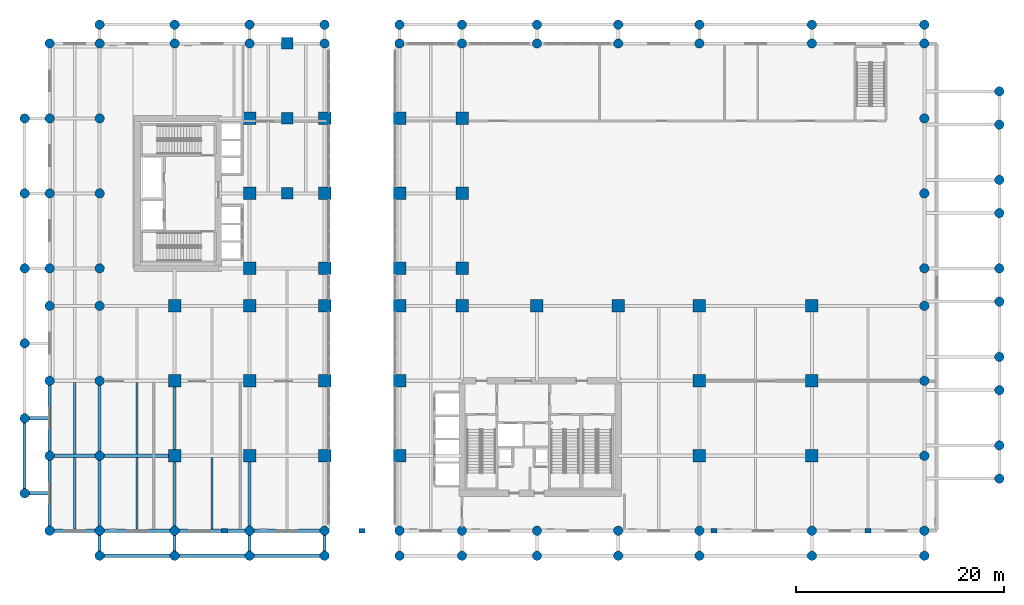
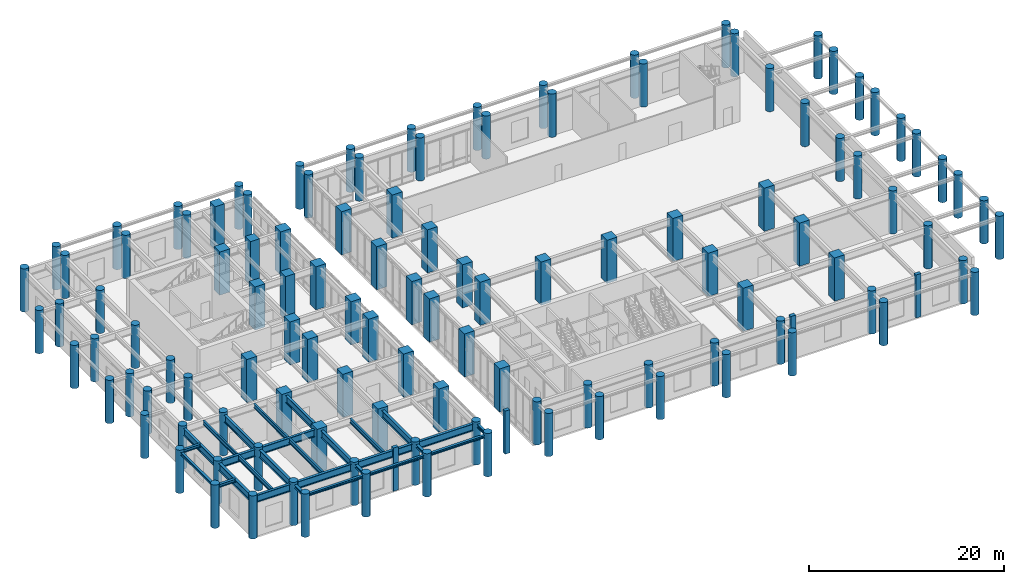
# One storey, part 1 of 23: 120 columns, 28 beams.
"""IFC4 building model written with IfcOpenShell, lengths in metres."""

from ifc_helpers import new_model, si_unit, derived_unit, direction, frame, origin, origin_2d, place, context, subcontext, project, spatial, rectangle, circle, i_section, extrude, source, transform, mapped, material, material_profile, profile_set, type_object, type_shapes, element, save


model = new_model("IFC4")

# Units and contexts
model_context = context("Model", 3, precision=1e-05, world=origin(), true_north=direction((0.0, 1.0)))
body_context = subcontext(model_context, "Body", "Model", "MODEL_VIEW")
ifc_project = project(units=[si_unit("LENGTHUNIT", "METRE"), si_unit("AREAUNIT", "SQUARE_METRE"), si_unit("VOLUMEUNIT", "CUBIC_METRE"), si_unit("PLANEANGLEUNIT", "RADIAN"), si_unit("MASSUNIT", "GRAM", prefix="KILO"), si_unit("THERMODYNAMICTEMPERATUREUNIT", "KELVIN"), si_unit("POWERUNIT", "WATT"), derived_unit("THERMALTRANSMITTANCEUNIT", [(si_unit("POWERUNIT", "WATT"), 1), (si_unit("AREAUNIT", "SQUARE_METRE"), -1), (si_unit("THERMODYNAMICTEMPERATUREUNIT", "KELVIN"), -1)])], contexts=[model_context])

# Site, building, storey
site_placement = place(None, origin())
site = spatial("IfcSite", under=ifc_project, at=site_placement, CompositionType="ELEMENT")
building_placement = place(site_placement, origin())
building = spatial("IfcBuilding", under=site, at=building_placement, Name="Zahravan Archway Hotel and Residences", CompositionType="ELEMENT")
storey_placement = place(building_placement, frame((0.0, 0.0, 5.39990234375)))
storey = spatial("IfcBuildingStorey", under=building, at=storey_placement, Name="L01", CompositionType="ELEMENT", Elevation=5.39990234375)

# Columns
ifc_material_1 = material(Name="Concrete C60/75", Category="concrete")
ifc_material_profile_1 = material_profile(ifc_material_1, circle(Radius=0.449951171875, at=origin_2d()), Name="RC-CIRC-900", Category="concrete")
ifc_profile_set_1 = profile_set([ifc_material_profile_1], Name="Concrete C60/75")
column_type_1 = type_object("IfcColumnType", Name="COL-RND-900", PredefinedType="COLUMN", material=ifc_profile_set_1)
shared_shape_1 = source(origin(), body_context, "Body", "SweptSolid", [
    extrude(circle(Radius=0.449951171875, at=origin_2d()), origin(), (0.0, 0.0, 1.0), 5.400146484375),
])
for number, where, z_axis, x_axis, name in (
    (1, (-4.800048828125, 0.0, 0.0), (0.0, 0.0, 1.0), (1.0, 0.0, 0.0), "L01 Column 0-A"),
    (2, (-4.800048828125, 7.199951171875, 0.0), (0.0, 0.0, 1.0), (1.0, 0.0, 0.0), "L01 Column 0-B"),
    (3, (-4.800048828125, 14.39990234375, 0.0), (0.0, 0.0, 1.0), (1.0, 0.0, 0.0), "L01 Column 0-C"),
    (4, (-4.800048828125, 21.60009765625, 0.0), (0.0, 0.0, 1.0), (1.0, 0.0, 0.0), "L01 Column 0-D"),
    (5, (-4.800048828125, 25.199951171875, 0.0), (0.0, 0.0, 1.0), (1.0, 0.0, 0.0), "L01 Column 0-E"),
    (6, (-4.800048828125, 32.39990234375, 0.0), (0.0, 0.0, 1.0), (1.0, 0.0, 0.0), "L01 Column 0-F"),
    (7, (-4.800048828125, 39.60009765625, 0.0), (0.0, 0.0, 1.0), (1.0, 0.0, 0.0), "L01 Column 0-G"),
    (8, (-4.800048828125, 46.800048828125, 0.0), (0.0, 0.0, 1.0), (1.0, 0.0, 0.0), "L01 Column 0-H"),
    (9, (0.0, 0.0, 0.0), (0.0, 0.0, 1.0), (1.0, 0.0, 0.0), "L01 Column 1-A"),
    (10, (0.0, 7.199951171875, 0.0), (0.0, 0.0, 1.0), (1.0, 0.0, 0.0), "L01 Column 1-B"),
    (11, (0.0, 14.39990234375, 0.0), (0.0, 0.0, 1.0), (1.0, 0.0, 0.0), "L01 Column 1-C"),
    (12, (0.0, 21.60009765625, 0.0), (0.0, 0.0, 1.0), (1.0, 0.0, 0.0), "L01 Column 1-D"),
    (13, (0.0, 25.199951171875, 0.0), (0.0, 0.0, 1.0), (1.0, 0.0, 0.0), "L01 Column 1-E"),
    (14, (0.0, 32.39990234375, 0.0), (0.0, 0.0, 1.0), (1.0, 0.0, 0.0), "L01 Column 1-F"),
    (15, (0.0, 39.60009765625, 0.0), (0.0, 0.0, 1.0), (1.0, 0.0, 0.0), "L01 Column 1-G"),
    (16, (0.0, 46.800048828125, 0.0), (0.0, 0.0, 1.0), (1.0, 0.0, 0.0), "L01 Column 1-H"),
    (17, (7.199951171875, 0.0, 0.0), (0.0, 0.0, 1.0), (1.0, 0.0, 0.0), "L01 Column 2-A"),
    (18, (7.199951171875, 46.800048828125, 0.0), (0.0, 0.0, 1.0), (1.0, 0.0, 0.0), "L01 Column 2-H"),
    (19, (14.39990234375, 0.0, 0.0), (0.0, 0.0, 1.0), (1.0, 0.0, 0.0), "L01 Column 3-A"),
    (20, (14.39990234375, 46.800048828125, 0.0), (0.0, 0.0, 1.0), (1.0, 0.0, 0.0), "L01 Column 3-H"),
    (21, (21.60009765625, 0.0, 0.0), (0.0, 0.0, 1.0), (1.0, 0.0, 0.0), "L01 Column 4-A"),
    (22, (21.60009765625, 46.800048828125, 0.0), (0.0, 0.0, 1.0), (1.0, 0.0, 0.0), "L01 Column 4-H"),
    (23, (28.800048828125, 0.0, 0.0), (0.0, 0.0, 1.0), (1.0, 0.0, 0.0), "L01 Column 5-A"),
    (24, (28.800048828125, 46.800048828125, 0.0), (0.0, 0.0, 1.0), (1.0, 0.0, 0.0), "L01 Column 5-H"),
    (25, (34.800048828125, 0.0, 0.0), (0.0, 0.0, 1.0), (1.0, 0.0, 0.0), "L01 Column 6-A"),
    (26, (34.800048828125, 46.800048828125, 0.0), (0.0, 0.0, 1.0), (1.0, 0.0, 0.0), "L01 Column 6-H"),
    (27, (42.0, 0.0, 0.0), (0.0, 0.0, 1.0), (1.0, 0.0, 0.0), "L01 Column 7-A"),
    (28, (42.0, 46.800048828125, 0.0), (0.0, 0.0, 1.0), (1.0, 0.0, 0.0), "L01 Column 7-H"),
    (29, (49.800048828125, 0.0, 0.0), (0.0, 0.0, 1.0), (1.0, 0.0, 0.0), "L01 Column 8-A"),
    (30, (49.800048828125, 46.800048828125, 0.0), (0.0, 0.0, 1.0), (1.0, 0.0, 0.0), "L01 Column 8-H"),
    (31, (57.60009765625, 0.0, 0.0), (0.0, 0.0, 1.0), (1.0, 0.0, 0.0), "L01 Column 9-A"),
    (32, (57.60009765625, 46.800048828125, 0.0), (0.0, 0.0, 1.0), (1.0, 0.0, 0.0), "L01 Column 9-H"),
    (33, (68.39990234375, 0.0, 0.0), (0.0, 0.0, 1.0), (1.0, 0.0, 0.0), "L01 Column 10-A"),
    (34, (68.39990234375, 46.800048828125, 0.0), (0.0, 0.0, 1.0), (1.0, 0.0, 0.0), "L01 Column 10-H"),
    (35, (79.199951171875, 0.0, 0.0), (0.0, 0.0, 1.0), (1.0, 0.0, 0.0), "L01 Column 11-A"),
    (36, (79.199951171875, 7.199951171875, 0.0), (0.0, 0.0, 1.0), (1.0, 0.0, 0.0), "L01 Column 11-B"),
    (37, (79.199951171875, 14.39990234375, 0.0), (0.0, 0.0, 1.0), (1.0, 0.0, 0.0), "L01 Column 11-C"),
    (38, (79.199951171875, 21.60009765625, 0.0), (0.0, 0.0, 1.0), (1.0, 0.0, 0.0), "L01 Column 11-D"),
    (39, (79.199951171875, 25.199951171875, 0.0), (0.0, 0.0, 1.0), (1.0, 0.0, 0.0), "L01 Column 11-E"),
    (40, (79.199951171875, 32.39990234375, 0.0), (0.0, 0.0, 1.0), (1.0, 0.0, 0.0), "L01 Column 11-F"),
    (41, (79.199951171875, 39.60009765625, 0.0), (0.0, 0.0, 1.0), (1.0, 0.0, 0.0), "L01 Column 11-G"),
    (42, (79.199951171875, 46.800048828125, 0.0), (0.0, 0.0, 1.0), (1.0, 0.0, 0.0), "L01 Column 11-H"),
    (43, (-7.199951171875, 3.60009765625, 0.0), (0.0, 0.0, 1.0), (1.0, 0.0, 0.0), "L01 Column WCOL-1"),
    (44, (-7.199951171875, 10.800048828125, 0.0), (0.0, 0.0, 1.0), (1.0, 0.0, 0.0), "L01 Column WCOL-2"),
    (45, (-7.199951171875, 18.0, 0.0), (0.0, 0.0, 1.0), (1.0, 0.0, 0.0), "L01 Column WCOL-3"),
    (46, (-7.199951171875, 25.199951171875, 0.0), (0.0, 0.0, 1.0), (1.0, 0.0, 0.0), "L01 Column WCOL-4"),
    (47, (-7.199951171875, 32.39990234375, 0.0), (0.0, 0.0, 1.0), (1.0, 0.0, 0.0), "L01 Column WCOL-5"),
    (48, (-7.199951171875, 39.60009765625, 0.0), (0.0, 0.0, 1.0), (1.0, 0.0, 0.0), "L01 Column WCOL-6"),
    (49, (0.0, -2.39990234375, 0.0), (0.0, 0.0, 1.0), (1.0, 0.0, 0.0), "L01 Column SCOL-1"),
    (50, (0.0, 48.60009765625, 0.0), (0.0, 0.0, 1.0), (1.0, 0.0, 0.0), "L01 Column NCOL-1"),
    (51, (7.199951171875, -2.39990234375, 0.0), (0.0, 0.0, 1.0), (1.0, 0.0, 0.0), "L01 Column SCOL-2"),
    (52, (7.199951171875, 48.60009765625, 0.0), (0.0, 0.0, 1.0), (1.0, 0.0, 0.0), "L01 Column NCOL-2"),
    (53, (14.39990234375, -2.39990234375, 0.0), (0.0, 0.0, 1.0), (1.0, 0.0, 0.0), "L01 Column SCOL-3"),
    (54, (14.39990234375, 48.60009765625, 0.0), (0.0, 0.0, 1.0), (1.0, 0.0, 0.0), "L01 Column NCOL-3"),
    (55, (21.60009765625, -2.39990234375, 0.0), (0.0, 0.0, 1.0), (1.0, 0.0, 0.0), "L01 Column SCOL-4"),
    (56, (21.60009765625, 48.60009765625, 0.0), (0.0, 0.0, 1.0), (1.0, 0.0, 0.0), "L01 Column NCOL-4"),
    (57, (28.800048828125, -2.39990234375, 0.0), (0.0, 0.0, 1.0), (1.0, 0.0, 0.0), "L01 Column SCOL-5"),
    (58, (28.800048828125, 48.60009765625, 0.0), (0.0, 0.0, 1.0), (1.0, 0.0, 0.0), "L01 Column NCOL-5"),
    (59, (34.800048828125, -2.39990234375, 0.0), (0.0, 0.0, 1.0), (1.0, 0.0, 0.0), "L01 Column SCOL-6"),
    (60, (34.800048828125, 48.60009765625, 0.0), (0.0, 0.0, 1.0), (1.0, 0.0, 0.0), "L01 Column NCOL-6"),
    (61, (42.0, -2.39990234375, 0.0), (0.0, 0.0, 1.0), (1.0, 0.0, 0.0), "L01 Column SCOL-7"),
    (62, (42.0, 48.60009765625, 0.0), (0.0, 0.0, 1.0), (1.0, 0.0, 0.0), "L01 Column NCOL-7"),
    (63, (49.800048828125, -2.39990234375, 0.0), (0.0, 0.0, 1.0), (1.0, 0.0, 0.0), "L01 Column SCOL-8"),
    (64, (49.800048828125, 48.60009765625, 0.0), (0.0, 0.0, 1.0), (1.0, 0.0, 0.0), "L01 Column NCOL-8"),
    (65, (57.60009765625, -2.39990234375, 0.0), (0.0, 0.0, 1.0), (1.0, 0.0, 0.0), "L01 Column SCOL-9"),
    (66, (57.60009765625, 48.60009765625, 0.0), (0.0, 0.0, 1.0), (1.0, 0.0, 0.0), "L01 Column NCOL-9"),
    (67, (68.39990234375, -2.39990234375, 0.0), (0.0, 0.0, 1.0), (1.0, 0.0, 0.0), "L01 Column SCOL-10"),
    (68, (68.39990234375, 48.60009765625, 0.0), (0.0, 0.0, 1.0), (1.0, 0.0, 0.0), "L01 Column NCOL-10"),
    (69, (79.199951171875, -2.39990234375, 0.0), (0.0, 0.0, 1.0), (1.0, 0.0, 0.0), "L01 Column SCOL-11"),
    (70, (79.199951171875, 48.60009765625, 0.0), (0.0, 0.0, 1.0), (1.0, 0.0, 0.0), "L01 Column NCOL-11"),
    (71, (86.39990234375, 5.0, 0.0), (0.0, 0.0, 1.0), (1.0, 0.0, 0.0), "L01 Column ECOL-1"),
    (72, (86.39990234375, 8.199951171875, 0.0), (0.0, 0.0, 1.0), (1.0, 0.0, 0.0), "L01 Column ECOL-2"),
    (73, (86.39990234375, 13.5, 0.0), (0.0, 0.0, 1.0), (1.0, 0.0, 0.0), "L01 Column ECOL-3"),
    (74, (86.39990234375, 16.699951171875, 0.0), (0.0, 0.0, 1.0), (1.0, 0.0, 0.0), "L01 Column ECOL-4"),
    (75, (86.39990234375, 22.0, 0.0), (0.0, 0.0, 1.0), (1.0, 0.0, 0.0), "L01 Column ECOL-5"),
    (76, (86.39990234375, 25.199951171875, 0.0), (0.0, 0.0, 1.0), (1.0, 0.0, 0.0), "L01 Column ECOL-6"),
    (77, (86.39990234375, 30.5, 0.0), (0.0, 0.0, 1.0), (1.0, 0.0, 0.0), "L01 Column ECOL-7"),
    (78, (86.39990234375, 33.699951171875, 0.0), (0.0, 0.0, 1.0), (1.0, 0.0, 0.0), "L01 Column ECOL-8"),
    (79, (86.39990234375, 39.0, 0.0), (0.0, 0.0, 1.0), (1.0, 0.0, 0.0), "L01 Column ECOL-9"),
    (80, (86.39990234375, 42.199951171875, 0.0), (0.0, 0.0, 1.0), (1.0, 0.0, 0.0), "L01 Column ECOL-10"),
):
    element("IfcColumn", number, at=place(storey_placement, frame(where, z_axis=z_axis, x_axis=x_axis)), inside=storey, type_object=column_type_1, Name=name, PredefinedType="COLUMN", context=body_context, shape_type="MappedRepresentation", body=[
        mapped(shared_shape_1, transform((0.0, 0.0, 0.0), scale=1.0)),
    ])
ifc_material_2 = material(Name="Concrete C70/85", Category="concrete")
ifc_material_profile_2 = material_profile(ifc_material_2, rectangle(XDim=1.199951171875, YDim=1.199951171875, at=origin_2d()), Name="RC-COL-1200x1200", Category="concrete")
ifc_profile_set_2 = profile_set([ifc_material_profile_2], Name="Concrete C70/85")
column_type_2 = type_object("IfcColumnType", Name="COL-RC-1200", PredefinedType="COLUMN", material=ifc_profile_set_2)
shared_shape_2 = source(origin(), body_context, "Body", "SweptSolid", [
    extrude(rectangle(XDim=1.199951171875, YDim=1.199951171875, at=origin_2d()), origin(), (0.0, 0.0, 1.0), 5.400146484375),
])
for number, where, z_axis, x_axis, name in (
    (81, (7.199951171875, 7.199951171875, 0.0), (0.0, 0.0, 1.0), (1.0, 0.0, 0.0), "L01 Column 2-B"),
    (82, (7.199951171875, 14.39990234375, 0.0), (0.0, 0.0, 1.0), (1.0, 0.0, 0.0), "L01 Column 2-C"),
    (83, (7.199951171875, 21.60009765625, 0.0), (0.0, 0.0, 1.0), (1.0, 0.0, 0.0), "L01 Column 2-D"),
    (84, (14.39990234375, 7.199951171875, 0.0), (0.0, 0.0, 1.0), (1.0, 0.0, 0.0), "L01 Column 3-B"),
    (85, (14.39990234375, 14.39990234375, 0.0), (0.0, 0.0, 1.0), (1.0, 0.0, 0.0), "L01 Column 3-C"),
    (86, (14.39990234375, 21.60009765625, 0.0), (0.0, 0.0, 1.0), (1.0, 0.0, 0.0), "L01 Column 3-D"),
    (87, (14.39990234375, 25.199951171875, 0.0), (0.0, 0.0, 1.0), (1.0, 0.0, 0.0), "L01 Column 3-E"),
    (88, (14.39990234375, 32.39990234375, 0.0), (0.0, 0.0, 1.0), (1.0, 0.0, 0.0), "L01 Column 3-F"),
    (89, (14.39990234375, 39.60009765625, 0.0), (0.0, 0.0, 1.0), (1.0, 0.0, 0.0), "L01 Column 3-G"),
    (90, (21.60009765625, 7.199951171875, 0.0), (0.0, 0.0, 1.0), (1.0, 0.0, 0.0), "L01 Column 4-B"),
    (91, (21.60009765625, 14.39990234375, 0.0), (0.0, 0.0, 1.0), (1.0, 0.0, 0.0), "L01 Column 4-C"),
    (92, (21.60009765625, 21.60009765625, 0.0), (0.0, 0.0, 1.0), (1.0, 0.0, 0.0), "L01 Column 4-D"),
    (93, (21.60009765625, 25.199951171875, 0.0), (0.0, 0.0, 1.0), (1.0, 0.0, 0.0), "L01 Column 4-E"),
    (94, (21.60009765625, 32.39990234375, 0.0), (0.0, 0.0, 1.0), (1.0, 0.0, 0.0), "L01 Column 4-F"),
    (95, (21.60009765625, 39.60009765625, 0.0), (0.0, 0.0, 1.0), (1.0, 0.0, 0.0), "L01 Column 4-G"),
    (96, (28.800048828125, 7.199951171875, 0.0), (0.0, 0.0, 1.0), (1.0, 0.0, 0.0), "L01 Column 5-B"),
    (97, (28.800048828125, 14.39990234375, 0.0), (0.0, 0.0, 1.0), (1.0, 0.0, 0.0), "L01 Column 5-C"),
    (98, (28.800048828125, 21.60009765625, 0.0), (0.0, 0.0, 1.0), (1.0, 0.0, 0.0), "L01 Column 5-D"),
    (99, (28.800048828125, 25.199951171875, 0.0), (0.0, 0.0, 1.0), (1.0, 0.0, 0.0), "L01 Column 5-E"),
    (100, (28.800048828125, 32.39990234375, 0.0), (0.0, 0.0, 1.0), (1.0, 0.0, 0.0), "L01 Column 5-F"),
    (101, (28.800048828125, 39.60009765625, 0.0), (0.0, 0.0, 1.0), (1.0, 0.0, 0.0), "L01 Column 5-G"),
    (102, (34.800048828125, 21.60009765625, 0.0), (0.0, 0.0, 1.0), (1.0, 0.0, 0.0), "L01 Column 6-D"),
    (103, (34.800048828125, 25.199951171875, 0.0), (0.0, 0.0, 1.0), (1.0, 0.0, 0.0), "L01 Column 6-E"),
    (104, (34.800048828125, 32.39990234375, 0.0), (0.0, 0.0, 1.0), (1.0, 0.0, 0.0), "L01 Column 6-F"),
    (105, (34.800048828125, 39.60009765625, 0.0), (0.0, 0.0, 1.0), (1.0, 0.0, 0.0), "L01 Column 6-G"),
    (106, (42.0, 21.60009765625, 0.0), (0.0, 0.0, 1.0), (1.0, 0.0, 0.0), "L01 Column 7-D"),
    (107, (49.800048828125, 21.60009765625, 0.0), (0.0, 0.0, 1.0), (1.0, 0.0, 0.0), "L01 Column 8-D"),
    (108, (57.60009765625, 7.199951171875, 0.0), (0.0, 0.0, 1.0), (1.0, 0.0, 0.0), "L01 Column 9-B"),
    (109, (57.60009765625, 14.39990234375, 0.0), (0.0, 0.0, 1.0), (1.0, 0.0, 0.0), "L01 Column 9-C"),
    (110, (57.60009765625, 21.60009765625, 0.0), (0.0, 0.0, 1.0), (1.0, 0.0, 0.0), "L01 Column 9-D"),
    (111, (68.39990234375, 7.199951171875, 0.0), (0.0, 0.0, 1.0), (1.0, 0.0, 0.0), "L01 Column 10-B"),
    (112, (68.39990234375, 14.39990234375, 0.0), (0.0, 0.0, 1.0), (1.0, 0.0, 0.0), "L01 Column 10-C"),
    (113, (68.39990234375, 21.60009765625, 0.0), (0.0, 0.0, 1.0), (1.0, 0.0, 0.0), "L01 Column 10-D"),
):
    element("IfcColumn", number, at=place(storey_placement, frame(where, z_axis=z_axis, x_axis=x_axis)), inside=storey, type_object=column_type_2, Name=name, PredefinedType="COLUMN", context=body_context, shape_type="MappedRepresentation", body=[
        mapped(shared_shape_2, transform((0.0, 0.0, 0.0), scale=1.0)),
    ])
ifc_material_profile_3 = material_profile(ifc_material_2, rectangle(XDim=1.10009765625, YDim=1.10009765625, at=origin_2d()), Name="RC 1100x1100", Category="concrete")
ifc_profile_set_3 = profile_set([ifc_material_profile_3], Name="Concrete C70/85")
column_type_3 = type_object("IfcColumnType", Name="COL-RC-1100", PredefinedType="COLUMN", material=ifc_profile_set_3)
shared_shape_3 = source(origin(), body_context, "Body", "SweptSolid", [
    extrude(rectangle(XDim=1.10009765625, YDim=1.10009765625, at=origin_2d()), origin(), (0.0, 0.0, 1.0), 5.400146484375),
])
for number, where, z_axis, x_axis, name in (
    (114, (18.0, 32.39990234375, 0.0), (0.0, 0.0, 1.0), (1.0, 0.0, 0.0), "L01 Column 3B-F"),
    (115, (18.0, 39.60009765625, 0.0), (0.0, 0.0, 1.0), (1.0, 0.0, 0.0), "L01 Column 3B-G"),
    (116, (18.0, 46.800048828125, 0.0), (0.0, 0.0, 1.0), (1.0, 0.0, 0.0), "L01 Column 3B-H"),
):
    element("IfcColumn", number, at=place(storey_placement, frame(where, z_axis=z_axis, x_axis=x_axis)), inside=storey, type_object=column_type_3, Name=name, PredefinedType="COLUMN", context=body_context, shape_type="MappedRepresentation", body=[
        mapped(shared_shape_3, transform((0.0, 0.0, 0.0), scale=1.0)),
    ])
ifc_material_3 = material(Name="Concrete C45/55", Category="concrete")
ifc_material_profile_4 = material_profile(ifc_material_3, rectangle(XDim=0.60009765625, YDim=0.39990234375, at=origin_2d()), Name="RC-PIL-600x400", Category="concrete")
ifc_profile_set_4 = profile_set([ifc_material_profile_4], Name="Concrete C45/55")
column_type_4 = type_object("IfcColumnType", Name="PIL-STONE-400", PredefinedType="PILASTER", material=ifc_profile_set_4)
shared_shape_4 = source(origin(), body_context, "Body", "SweptSolid", [
    extrude(rectangle(XDim=0.60009765625, YDim=0.39990234375, at=origin_2d()), origin(), (0.0, 0.0, 1.0), 5.400146484375),
])
type_shapes(column_type_4, [shared_shape_4])
for number, where, z_axis, x_axis, name in (
    (117, (12.0, 0.0, 0.0), (0.0, 0.0, 1.0), (1.0, 0.0, 0.0), "L01 South Arcade Pilaster S1"),
    (118, (25.199951171875, 0.0, 0.0), (0.0, 0.0, 1.0), (1.0, 0.0, 0.0), "L01 South Arcade Pilaster S2"),
    (119, (59.0, 0.0, 0.0), (0.0, 0.0, 1.0), (1.0, 0.0, 0.0), "L01 South Arcade Pilaster S3"),
    (120, (73.800048828125, 0.0, 0.0), (0.0, 0.0, 1.0), (1.0, 0.0, 0.0), "L01 South Arcade Pilaster S4"),
):
    element("IfcColumn", number, at=place(storey_placement, frame(where, z_axis=z_axis, x_axis=x_axis)), inside=storey, type_object=column_type_4, Name=name, PredefinedType="PILASTER", context=body_context, shape_type="MappedRepresentation", body=[
        mapped(shared_shape_4, transform((0.0, 0.0, 0.0), scale=1.0)),
    ])

# Beams
ifc_material_4 = material(Name="Structural Steel S355J2", Category="steel")
ifc_material_profile_5 = material_profile(ifc_material_4, i_section(OverallWidth=0.300048828125, OverallDepth=0.89990234375, WebThickness=0.0185546875, FlangeThickness=0.034912109375, FilletRadius=0.030029296875, at=origin_2d()), Name="HEB 900", Category="steel")
ifc_profile_set_5 = profile_set([ifc_material_profile_5], Name="Structural Steel S355J2")
beam_type_1 = type_object("IfcBeamType", Name="BM-PRI-HEB900", PredefinedType="BEAM", material=ifc_profile_set_5)
shared_shape_5 = source(origin(), body_context, "Body", "SweptSolid", [
    extrude(i_section(OverallWidth=0.300048828125, OverallDepth=0.89990234375, WebThickness=0.0185546875, FlangeThickness=0.034912109375, FilletRadius=0.030029296875, at=origin_2d()), origin(), (0.0, 0.0, 1.0), 4.800048828125),
])
type_shapes(beam_type_1, [shared_shape_5])
for number, where, z_axis, x_axis, name in (
    (121, (-4.800048828125, 0.0, 4.650146484375), (1.0, 0.0, 0.0), (0.0, 1.0, 0.0), "L01 Primary Girder EW-01"),
    (122, (-4.800048828125, 7.199951171875, 4.650146484375), (1.0, 0.0, 0.0), (0.0, 1.0, 0.0), "L01 Primary Girder EW-11"),
):
    element("IfcBeam", number, at=place(storey_placement, frame(where, z_axis=z_axis, x_axis=x_axis)), inside=storey, type_object=beam_type_1, Name=name, PredefinedType="BEAM", context=body_context, shape_type="MappedRepresentation", body=[
        mapped(shared_shape_5, transform((0.0, 0.0, 0.0), scale=1.0)),
    ])
shared_shape_6 = source(origin(), body_context, "Body", "SweptSolid", [
    extrude(i_section(OverallWidth=0.300048828125, OverallDepth=0.89990234375, WebThickness=0.0185546875, FlangeThickness=0.034912109375, FilletRadius=0.030029296875, at=origin_2d()), origin(), (0.0, 0.0, 1.0), 7.199951171875),
])
for number, where, z_axis, x_axis, name in (
    (123, (0.0, 0.0, 4.650146484375), (1.0, 0.0, 0.0), (0.0, 1.0, 0.0), "L01 Primary Girder EW-02"),
    (124, (7.199951171875, 0.0, 4.650146484375), (1.0, 0.0, 0.0), (0.0, 1.0, 0.0), "L01 Primary Girder EW-03"),
    (125, (0.0, 7.199951171875, 4.650146484375), (1.0, 0.0, 0.0), (0.0, 1.0, 0.0), "L01 Primary Girder EW-12"),
    (126, (-4.800048828125, 0.0, 4.650146484375), (0.0, 1.0, 0.0), (-1.0, 0.0, 0.0), "L01 Primary Girder NS-62"),
    (127, (-4.800048828125, 7.199951171875, 4.650146484375), (0.0, 1.0, 0.0), (-1.0, 0.0, 0.0), "L01 Primary Girder NS-63"),
    (128, (0.0, 0.0, 4.650146484375), (0.0, 1.0, 0.0), (-1.0, 0.0, 0.0), "L01 Primary Girder NS-69"),
    (129, (0.0, 7.199951171875, 4.650146484375), (0.0, 1.0, 0.0), (-1.0, 0.0, 0.0), "L01 Primary Girder NS-70"),
    (130, (7.199951171875, 0.0, 4.650146484375), (0.0, 1.0, 0.0), (-1.0, 0.0, 0.0), "L01 Primary Girder NS-76"),
    (131, (7.199951171875, 7.199951171875, 4.650146484375), (0.0, 1.0, 0.0), (-1.0, 0.0, 0.0), "L01 Primary Girder NS-77"),
    (132, (14.39990234375, 0.0, 4.650146484375), (0.0, 1.0, 0.0), (-1.0, 0.0, 0.0), "L01 Primary Girder NS-81"),
):
    element("IfcBeam", number, at=place(storey_placement, frame(where, z_axis=z_axis, x_axis=x_axis)), inside=storey, type_object=beam_type_1, Name=name, PredefinedType="BEAM", context=body_context, shape_type="MappedRepresentation", body=[
        mapped(shared_shape_6, transform((0.0, 0.0, 0.0), scale=1.0)),
    ])
shared_shape_7 = source(origin(), body_context, "Body", "SweptSolid", [
    extrude(i_section(OverallWidth=0.300048828125, OverallDepth=0.89990234375, WebThickness=0.0185546875, FlangeThickness=0.034912109375, FilletRadius=0.030029296875, at=origin_2d()), origin(), (0.0, 0.0, 1.0), 7.2001953125),
])
beam_1_placement = place(storey_placement, frame((14.39990234375, 0.0, 4.650146484375), z_axis=(1.0, 0.0, 0.0), x_axis=(0.0, 1.0, 0.0)))
element("IfcBeam", 133, at=beam_1_placement, inside=storey, type_object=beam_type_1, Name="L01 Primary Girder EW-04", PredefinedType="BEAM", context=body_context, shape_type="MappedRepresentation", body=[
    mapped(shared_shape_7, transform((0.0, 0.0, 0.0), scale=1.0)),
])
ifc_material_5 = material(Name="Structural Steel S355JR", Category="steel")
ifc_material_profile_6 = material_profile(ifc_material_5, i_section(OverallWidth=0.2099609375, OverallDepth=0.550048828125, WebThickness=0.010986328125, FlangeThickness=0.01708984375, FilletRadius=0.02392578125, at=origin_2d()), Name="IPE 550", Category="steel")
ifc_profile_set_6 = profile_set([ifc_material_profile_6], Name="Structural Steel S355JR")
beam_type_2 = type_object("IfcBeamType", Name="BM-JST-IPE550", PredefinedType="JOIST", material=ifc_profile_set_6)
shared_shape_8 = source(origin(), body_context, "Body", "SweptSolid", [
    extrude(i_section(OverallWidth=0.2099609375, OverallDepth=0.550048828125, WebThickness=0.010986328125, FlangeThickness=0.01708984375, FilletRadius=0.02392578125, at=origin_2d()), origin(), (0.0, 0.0, 1.0), 6.904052734375),
])
type_shapes(beam_type_2, [shared_shape_8])
for number, where, z_axis, x_axis, name in (
    (134, (-2.39990234375, 0.14794921875, 4.8251953125), (0.0, 1.0, 0.0), (-1.0, 0.0, 0.0), "L01 Composite Floor Joist 01"),
    (135, (3.60009765625, 0.14794921875, 4.8251953125), (0.0, 1.0, 0.0), (-1.0, 0.0, 0.0), "L01 Composite Floor Joist 02"),
    (136, (10.800048828125, 0.14794921875, 4.8251953125), (0.0, 1.0, 0.0), (-1.0, 0.0, 0.0), "L01 Composite Floor Joist 03"),
    (137, (-2.39990234375, 7.347900390625, 4.8251953125), (0.0, 1.0, 0.0), (-1.0, 0.0, 0.0), "L01 Composite Floor Joist 09"),
    (138, (3.60009765625, 7.347900390625, 4.8251953125), (0.0, 1.0, 0.0), (-1.0, 0.0, 0.0), "L01 Composite Floor Joist 10"),
):
    element("IfcBeam", number, at=place(storey_placement, frame(where, z_axis=z_axis, x_axis=x_axis)), inside=storey, type_object=beam_type_2, Name=name, PredefinedType="JOIST", context=body_context, shape_type="MappedRepresentation", body=[
        mapped(shared_shape_8, transform((0.0, 0.0, 0.0), scale=1.0)),
    ])
ifc_material_profile_7 = material_profile(ifc_material_5, i_section(OverallWidth=0.300048828125, OverallDepth=0.39990234375, WebThickness=0.013427734375, FlangeThickness=0.02392578125, FilletRadius=0.027099609375, at=origin_2d()), Name="HEB 400", Category="steel")
ifc_profile_set_7 = profile_set([ifc_material_profile_7], Name="Structural Steel S355JR")
beam_type_3 = type_object("IfcBeamType", Name="BM-PRI-HEB400", PredefinedType="BEAM", material=ifc_profile_set_7)
shared_shape_9 = source(origin(), body_context, "Body", "SweptSolid", [
    extrude(i_section(OverallWidth=0.300048828125, OverallDepth=0.39990234375, WebThickness=0.013427734375, FlangeThickness=0.02392578125, FilletRadius=0.027099609375, at=origin_2d()), origin(), (0.0, 0.0, 1.0), 2.39990234375),
])
for number, where, z_axis, x_axis, name in (
    (139, (-7.199951171875, 3.60009765625, 4.900146484375), (1.0, 0.0, 0.0), (0.0, 1.0, 0.0), "L01 West Colonnade Tie Girder 1"),
    (140, (-7.199951171875, 10.800048828125, 4.900146484375), (1.0, 0.0, 0.0), (0.0, 1.0, 0.0), "L01 West Colonnade Tie Girder 2"),
    (141, (0.0, -2.39990234375, 4.900146484375), (0.0, 1.0, 0.0), (-1.0, 0.0, 0.0), "L01 South Colonnade Tie Girder 1"),
    (142, (7.199951171875, -2.39990234375, 4.900146484375), (0.0, 1.0, 0.0), (-1.0, 0.0, 0.0), "L01 South Colonnade Tie Girder 2"),
    (143, (14.39990234375, -2.39990234375, 4.900146484375), (0.0, 1.0, 0.0), (-1.0, 0.0, 0.0), "L01 South Colonnade Tie Girder 3"),
    (144, (21.60009765625, -2.39990234375, 4.900146484375), (0.0, 1.0, 0.0), (-1.0, 0.0, 0.0), "L01 South Colonnade Tie Girder 4"),
):
    element("IfcBeam", number, at=place(storey_placement, frame(where, z_axis=z_axis, x_axis=x_axis)), inside=storey, type_object=beam_type_3, Name=name, PredefinedType="BEAM", context=body_context, shape_type="MappedRepresentation", body=[
        mapped(shared_shape_9, transform((0.0, 0.0, 0.0), scale=1.0)),
    ])
ifc_material_profile_8 = material_profile(ifc_material_5, i_section(OverallWidth=0.300048828125, OverallDepth=0.320068359375, WebThickness=0.011474609375, FlangeThickness=0.0205078125, FilletRadius=0.027099609375, at=origin_2d()), Name="HEB 320", Category="steel")
ifc_profile_set_8 = profile_set([ifc_material_profile_8], Name="Structural Steel S355JR")
beam_type_4 = type_object("IfcBeamType", Name="BM-SPN-HEB320", PredefinedType="SPANDREL", material=ifc_profile_set_8)
shared_shape_10 = source(origin(), body_context, "Body", "SweptSolid", [
    extrude(i_section(OverallWidth=0.300048828125, OverallDepth=0.320068359375, WebThickness=0.011474609375, FlangeThickness=0.0205078125, FilletRadius=0.027099609375, at=origin_2d()), origin(), (0.0, 0.0, 1.0), 7.199951171875),
])
type_shapes(beam_type_4, [shared_shape_10])
for number, where, z_axis, x_axis, name in (
    (145, (-7.199951171875, 3.60009765625, 4.940185546875), (0.0, 1.0, 0.0), (-1.0, 0.0, 0.0), "L01 West Colonnade Spandrel 1"),
    (146, (0.0, -2.39990234375, 4.940185546875), (1.0, 0.0, 0.0), (0.0, 1.0, 0.0), "L01 South Colonnade Spandrel 1"),
    (147, (7.199951171875, -2.39990234375, 4.940185546875), (1.0, 0.0, 0.0), (0.0, 1.0, 0.0), "L01 South Colonnade Spandrel 2"),
):
    element("IfcBeam", number, at=place(storey_placement, frame(where, z_axis=z_axis, x_axis=x_axis)), inside=storey, type_object=beam_type_4, Name=name, PredefinedType="SPANDREL", context=body_context, shape_type="MappedRepresentation", body=[
        mapped(shared_shape_10, transform((0.0, 0.0, 0.0), scale=1.0)),
    ])
shared_shape_11 = source(origin(), body_context, "Body", "SweptSolid", [
    extrude(i_section(OverallWidth=0.300048828125, OverallDepth=0.320068359375, WebThickness=0.011474609375, FlangeThickness=0.0205078125, FilletRadius=0.027099609375, at=origin_2d()), origin(), (0.0, 0.0, 1.0), 7.2001953125),
])
beam_2_placement = place(storey_placement, frame((14.39990234375, -2.39990234375, 4.940185546875), z_axis=(1.0, 0.0, 0.0), x_axis=(0.0, 1.0, 0.0)))
element("IfcBeam", 148, at=beam_2_placement, inside=storey, type_object=beam_type_4, Name="L01 South Colonnade Spandrel 3", PredefinedType="SPANDREL", context=body_context, shape_type="MappedRepresentation", body=[
    mapped(shared_shape_11, transform((0.0, 0.0, 0.0), scale=1.0)),
])

save(model, "model.ifc")
